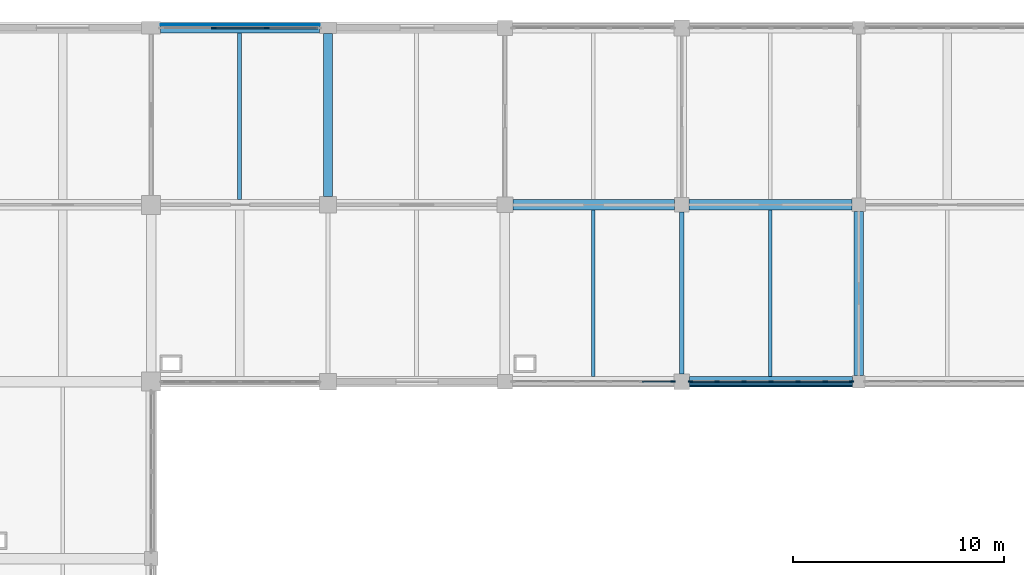
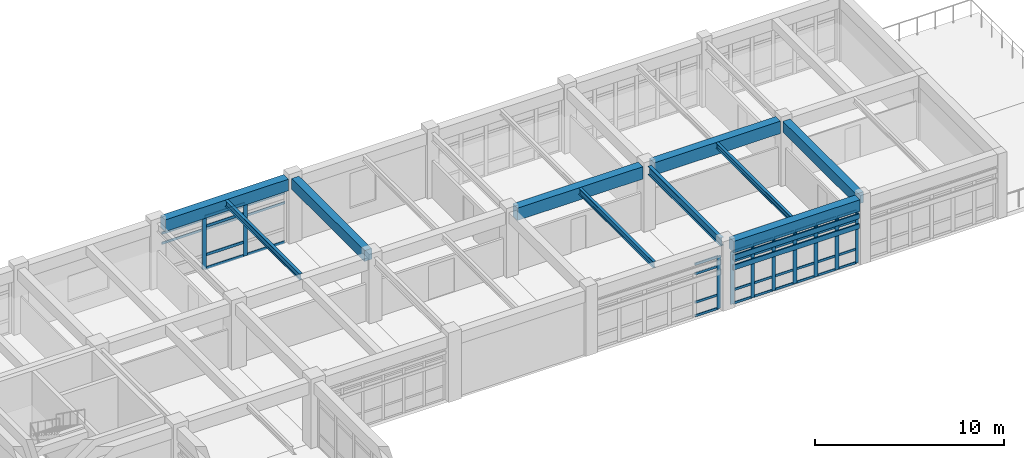
# One storey, part 54 of 99: 47 members, 10 beams, 3 elements without a shape of their own.
"""IFC4 building model written with IfcOpenShell, lengths in metres."""

from ifc_helpers import new_model, si_unit, direction, frame, origin, origin_2d, place, context, subcontext, project, spatial, rectangle, i_section, extrude, material, layer, layer_set, material_profile, profile_set, type_object, element, aggregate, save


model = new_model("IFC4")

# Units and contexts
model_context = context("Model", 3, precision=1e-05, world=origin(), true_north=direction((0.0, 1.0)))
body_context = subcontext(model_context, "Body", "Model", "MODEL_VIEW")
ifc_project = project(units=[si_unit("LENGTHUNIT", "METRE"), si_unit("AREAUNIT", "SQUARE_METRE"), si_unit("VOLUMEUNIT", "CUBIC_METRE"), si_unit("PLANEANGLEUNIT", "RADIAN"), si_unit("MASSUNIT", "GRAM", prefix="KILO")], contexts=[model_context])

# Site, building, storey
site_placement = place(None, origin())
site = spatial("IfcSite", under=ifc_project, at=site_placement, CompositionType="ELEMENT")
building_placement = place(site_placement, origin())
building = spatial("IfcBuilding", under=site, at=building_placement, Name="Porcellanite Civic Hall", CompositionType="ELEMENT")
storey_placement = place(building_placement, frame((0.0, 0.0, 5.760009765625)))
storey = spatial("IfcBuildingStorey", under=building, at=storey_placement, Name="L01", CompositionType="ELEMENT", Elevation=5.760009765625)

# Beams
ifc_material_1 = material(Name="Concrete N50 (50 MPa)", Category="concrete")
ifc_material_profile_1 = material_profile(ifc_material_1, rectangle(XDim=0.449951171875, YDim=0.699951171875, at=origin_2d()), Name="RC-450x700")
ifc_profile_set_1 = profile_set([ifc_material_profile_1], Name="Concrete N50 (50 MPa)")
beam_type_1 = type_object("IfcBeamType", Name="BM-RC700", PredefinedType="BEAM", material=ifc_profile_set_1)
beam_1_placement = place(storey_placement, frame((134.39990234375, 109.599609375, 3.85009765625), z_axis=(0.0, 1.0, 0.0), x_axis=(-1.0, 0.0, 0.0)))
element("IfcBeam", 1, at=beam_1_placement, inside=storey, type_object=beam_type_1, Name="Beam Y L01 17-14", PredefinedType="BEAM", context=body_context, shape_type="SweptSolid", body=[
    extrude(rectangle(XDim=0.449951171875, YDim=0.699951171875, at=origin_2d()), origin(), (0.0, 0.0, 1.0), 7.725830078125),
])
beam_2_placement = place(storey_placement, frame((159.60009765625, 101.099609375, 3.85009765625), z_axis=(0.0, 1.0, 0.0), x_axis=(-1.0, 0.0, 0.0)))
element("IfcBeam", 2, at=beam_2_placement, inside=storey, type_object=beam_type_1, Name="Beam Y L01 20-13", PredefinedType="BEAM", context=body_context, shape_type="SweptSolid", body=[
    extrude(rectangle(XDim=0.449951171875, YDim=0.699951171875, at=origin_2d()), origin(), (0.0, 0.0, 1.0), 7.77587890625),
])
ifc_material_2 = material(Name="Concrete N50 (50 MPa)", Category="concrete")
ifc_material_profile_2 = material_profile(ifc_material_2, rectangle(XDim=0.5, YDim=0.75, at=origin_2d()), Name="RC-500x750")
ifc_profile_set_2 = profile_set([ifc_material_profile_2], Name="Concrete N50 (50 MPa)")
beam_type_2 = type_object("IfcBeamType", Name="BM-RC750", PredefinedType="SPANDREL", material=ifc_profile_set_2)
beam_3_placement = place(storey_placement, frame((126.449462890625, 117.60009765625, 3.824951171875), z_axis=(1.0, 0.0, 0.0), x_axis=(0.0, 1.0, 0.0)))
element("IfcBeam", 3, at=beam_3_placement, inside=storey, type_object=beam_type_2, Name="Beam X L01 16-15", PredefinedType="SPANDREL", context=body_context, shape_type="SweptSolid", body=[
    extrude(rectangle(XDim=0.5, YDim=0.75, at=origin_2d()), origin(), (0.0, 0.0, 1.0), 7.551025390625),
])
beam_4_placement = place(storey_placement, frame((151.574462890625, 100.800048828125, 3.824951171875), z_axis=(1.0, 0.0, 0.0), x_axis=(0.0, 1.0, 0.0)))
element("IfcBeam", 4, at=beam_4_placement, inside=storey, type_object=beam_type_2, Name="Beam X L01 19-13", PredefinedType="SPANDREL", context=body_context, shape_type="SweptSolid", body=[
    extrude(rectangle(XDim=0.5, YDim=0.75, at=origin_2d()), origin(), (0.0, 0.0, 1.0), 7.72607421875),
])
ifc_material_3 = material(Name="Concrete N50 (50 MPa)", Category="concrete")
ifc_material_profile_3 = material_profile(ifc_material_3, rectangle(XDim=0.5, YDim=0.800048828125, at=origin_2d()), Name="RC-500x800")
ifc_profile_set_3 = profile_set([ifc_material_profile_3], Name="Concrete N50 (50 MPa)")
beam_type_3 = type_object("IfcBeamType", Name="BM-RC800", PredefinedType="BEAM", material=ifc_profile_set_3)
beam_5_placement = place(storey_placement, frame((143.174560546875, 109.199951171875, 3.800048828125), z_axis=(1.0, 0.0, 0.0), x_axis=(0.0, 1.0, 0.0)))
element("IfcBeam", 5, at=beam_5_placement, inside=storey, type_object=beam_type_3, Name="Beam X L01 18-14", PredefinedType="BEAM", context=body_context, shape_type="SweptSolid", body=[
    extrude(rectangle(XDim=0.5, YDim=0.800048828125, at=origin_2d()), origin(), (0.0, 0.0, 1.0), 7.676025390625),
])
beam_6_placement = place(storey_placement, frame((151.549560546875, 109.199951171875, 3.800048828125), z_axis=(1.0, 0.0, 0.0), x_axis=(0.0, 1.0, 0.0)))
element("IfcBeam", 6, at=beam_6_placement, inside=storey, type_object=beam_type_3, Name="Beam X L01 19-14", PredefinedType="BEAM", context=body_context, shape_type="SweptSolid", body=[
    extrude(rectangle(XDim=0.5, YDim=0.800048828125, at=origin_2d()), origin(), (0.0, 0.0, 1.0), 7.725830078125),
])

# Curtain wall, members
ifc_material_4 = material(Name="Anodised aluminium and solar laminated glass", Category="aluminium")
ifc_layer_1 = layer(ifc_material_4, 0.179931640625)
ifc_layer_set_1 = layer_set([ifc_layer_1], Name="Anodised aluminium and solar laminated glass")
curtain_wall_type_1 = type_object("IfcCurtainWallType", Name="CW-SYS08", PredefinedType="NOTDEFINED", material=ifc_layer_set_1)
curtain_wall_1_placement = place(storey_placement, origin())
curtain_wall_1 = element("IfcCurtainWall", 7, at=curtain_wall_1_placement, inside=storey, type_object=curtain_wall_type_1, Name="Curtain wall CW-118", PredefinedType="NOTDEFINED")
ifc_material_5 = material(Name="Anodised aluminium 6063-T6", Category="aluminium")
ifc_material_profile_4 = material_profile(ifc_material_5, rectangle(XDim=0.080078125, YDim=0.239990234375, at=origin_2d()), Name="AL-80x240")
ifc_profile_set_4 = profile_set([ifc_material_profile_4], Name="Anodised aluminium 6063-T6")
member_type_1 = type_object("IfcMemberType", Name="CWM-01", PredefinedType="MULLION", material=ifc_profile_set_4)
member_1_placement = place(storey_placement, frame((128.967041015625, 117.60009765625, 0.0), z_axis=(0.0, 0.0, 1.0), x_axis=(0.0, 1.0, 0.0)))
member_1 = element("IfcMember", 8, at=member_1_placement, type_object=member_type_1, Name="CW-118 mullion 2", PredefinedType="MULLION", context=body_context, shape_type="SweptSolid", body=[
    extrude(rectangle(XDim=0.080078125, YDim=0.239990234375, at=origin_2d()), origin(), (0.0, 0.0, 1.0), 3.39990234375),
])
member_2_placement = place(storey_placement, frame((131.48291015625, 117.60009765625, 0.0), z_axis=(0.0, 0.0, 1.0), x_axis=(0.0, 1.0, 0.0)))
member_2 = element("IfcMember", 9, at=member_2_placement, type_object=member_type_1, Name="CW-118 mullion 3", PredefinedType="MULLION", context=body_context, shape_type="SweptSolid", body=[
    extrude(rectangle(XDim=0.080078125, YDim=0.239990234375, at=origin_2d()), origin(), (0.0, 0.0, 1.0), 3.39990234375),
])

# Curtain wall, member
ifc_material_6 = material(Name="Anodised aluminium and solar laminated glass", Category="aluminium")
ifc_layer_2 = layer(ifc_material_6, 0.179931640625)
ifc_layer_set_2 = layer_set([ifc_layer_2], Name="Anodised aluminium and solar laminated glass")
curtain_wall_type_2 = type_object("IfcCurtainWallType", Name="CW-SYS02", PredefinedType="NOTDEFINED", material=ifc_layer_set_2)
curtain_wall_2_placement = place(storey_placement, origin())
curtain_wall_2 = element("IfcCurtainWall", 10, at=curtain_wall_2_placement, inside=storey, type_object=curtain_wall_type_2, Name="Curtain wall CW-121", PredefinedType="NOTDEFINED")
ifc_material_7 = material(Name="Anodised aluminium 6063-T6", Category="aluminium")
ifc_material_profile_5 = material_profile(ifc_material_7, rectangle(XDim=0.074951171875, YDim=0.219970703125, at=origin_2d()), Name="AL-75x220")
ifc_profile_set_5 = profile_set([ifc_material_profile_5], Name="Anodised aluminium 6063-T6")
member_type_2 = type_object("IfcMemberType", Name="CWM-03", PredefinedType="MULLION", material=ifc_profile_set_5)
member_3_placement = place(storey_placement, frame((150.78662109375, 100.800048828125, 0.0), z_axis=(0.0, 0.0, 1.0), x_axis=(0.0, -1.0, 0.0)))
member_3 = element("IfcMember", 11, at=member_3_placement, type_object=member_type_2, Name="CW-121 mullion 1", PredefinedType="MULLION", context=body_context, shape_type="SweptSolid", body=[
    extrude(rectangle(XDim=0.074951171875, YDim=0.219970703125, at=origin_2d()), origin(), (0.0, 0.0, 1.0), 3.39990234375),
])

# Curtain wall, members
curtain_wall_3_placement = place(storey_placement, origin())
curtain_wall_3 = element("IfcCurtainWall", 12, at=curtain_wall_3_placement, inside=storey, type_object=curtain_wall_type_2, Name="Curtain wall CW-124", PredefinedType="NOTDEFINED")
member_4_placement = place(storey_placement, frame((159.261474609375, 100.800048828125, 0.0), z_axis=(0.0, 0.0, 1.0), x_axis=(0.0, -1.0, 0.0)))
member_4 = element("IfcMember", 13, at=member_4_placement, type_object=member_type_2, Name="CW-124 mullion 1", PredefinedType="MULLION", context=body_context, shape_type="SweptSolid", body=[
    extrude(rectangle(XDim=0.074951171875, YDim=0.219970703125, at=origin_2d()), origin(), (0.0, 0.0, 1.0), 3.39990234375),
])
member_5_placement = place(storey_placement, frame((158.01171875, 100.800048828125, 0.0), z_axis=(0.0, 0.0, 1.0), x_axis=(0.0, -1.0, 0.0)))
member_5 = element("IfcMember", 14, at=member_5_placement, type_object=member_type_2, Name="CW-124 mullion 2", PredefinedType="MULLION", context=body_context, shape_type="SweptSolid", body=[
    extrude(rectangle(XDim=0.074951171875, YDim=0.219970703125, at=origin_2d()), origin(), (0.0, 0.0, 1.0), 3.39990234375),
])
member_6_placement = place(storey_placement, frame((156.724609375, 100.800048828125, 0.0), z_axis=(0.0, 0.0, 1.0), x_axis=(0.0, -1.0, 0.0)))
member_6 = element("IfcMember", 15, at=member_6_placement, type_object=member_type_2, Name="CW-124 mullion 3", PredefinedType="MULLION", context=body_context, shape_type="SweptSolid", body=[
    extrude(rectangle(XDim=0.074951171875, YDim=0.219970703125, at=origin_2d()), origin(), (0.0, 0.0, 1.0), 3.39990234375),
])
member_7_placement = place(storey_placement, frame((155.4375, 100.800048828125, 0.0), z_axis=(0.0, 0.0, 1.0), x_axis=(0.0, -1.0, 0.0)))
member_7 = element("IfcMember", 16, at=member_7_placement, type_object=member_type_2, Name="CW-124 mullion 4", PredefinedType="MULLION", context=body_context, shape_type="SweptSolid", body=[
    extrude(rectangle(XDim=0.074951171875, YDim=0.219970703125, at=origin_2d()), origin(), (0.0, 0.0, 1.0), 3.39990234375),
])
member_8_placement = place(storey_placement, frame((154.150390625, 100.800048828125, 0.0), z_axis=(0.0, 0.0, 1.0), x_axis=(0.0, -1.0, 0.0)))
member_8 = element("IfcMember", 17, at=member_8_placement, type_object=member_type_2, Name="CW-124 mullion 5", PredefinedType="MULLION", context=body_context, shape_type="SweptSolid", body=[
    extrude(rectangle(XDim=0.074951171875, YDim=0.219970703125, at=origin_2d()), origin(), (0.0, 0.0, 1.0), 3.39990234375),
])
member_9_placement = place(storey_placement, frame((152.86328125, 100.800048828125, 0.0), z_axis=(0.0, 0.0, 1.0), x_axis=(0.0, -1.0, 0.0)))
member_9 = element("IfcMember", 18, at=member_9_placement, type_object=member_type_2, Name="CW-124 mullion 6", PredefinedType="MULLION", context=body_context, shape_type="SweptSolid", body=[
    extrude(rectangle(XDim=0.074951171875, YDim=0.219970703125, at=origin_2d()), origin(), (0.0, 0.0, 1.0), 3.39990234375),
])
member_10_placement = place(storey_placement, frame((151.613525390625, 100.800048828125, 0.0), z_axis=(0.0, 0.0, 1.0), x_axis=(0.0, -1.0, 0.0)))
member_10 = element("IfcMember", 19, at=member_10_placement, type_object=member_type_2, Name="CW-124 mullion 7", PredefinedType="MULLION", context=body_context, shape_type="SweptSolid", body=[
    extrude(rectangle(XDim=0.074951171875, YDim=0.219970703125, at=origin_2d()), origin(), (0.0, 0.0, 1.0), 3.39990234375),
])

# Member
ifc_material_8 = material(Name="Anodised aluminium 6063-T6", Category="aluminium")
ifc_material_profile_6 = material_profile(ifc_material_8, rectangle(XDim=0.070068359375, YDim=0.175048828125, at=origin_2d()), Name="AL-70x175")
ifc_profile_set_6 = profile_set([ifc_material_profile_6], Name="Anodised aluminium 6063-T6")
member_type_3 = type_object("IfcMemberType", Name="CWT-01", PredefinedType="USERDEFINED", material=ifc_profile_set_6)
member_11_placement = place(storey_placement, frame((129.007080078125, 117.60009765625, 0.034912109375), z_axis=(1.0, 0.0, 0.0), x_axis=(0.0, 1.0, 0.0)))
member_11 = element("IfcMember", 20, at=member_11_placement, type_object=member_type_3, Name="CW-118 transom 2.1", ObjectType="TRANSOM", PredefinedType="USERDEFINED", context=body_context, shape_type="SweptSolid", body=[
    extrude(rectangle(XDim=0.070068359375, YDim=0.175048828125, at=origin_2d()), origin(), (0.0, 0.0, 1.0), 2.43603515625),
])

member_12_placement = place(storey_placement, frame((129.007080078125, 117.60009765625, 0.89990234375), z_axis=(1.0, 0.0, 0.0), x_axis=(0.0, 1.0, 0.0)))
member_12 = element("IfcMember", 21, at=member_12_placement, type_object=member_type_3, Name="CW-118 transom 2.2", ObjectType="TRANSOM", PredefinedType="USERDEFINED", context=body_context, shape_type="SweptSolid", body=[
    extrude(rectangle(XDim=0.070068359375, YDim=0.175048828125, at=origin_2d()), origin(), (0.0, 0.0, 1.0), 2.43603515625),
])

member_13_placement = place(storey_placement, frame((129.007080078125, 117.60009765625, 2.75), z_axis=(1.0, 0.0, 0.0), x_axis=(0.0, 1.0, 0.0)))
member_13 = element("IfcMember", 22, at=member_13_placement, type_object=member_type_3, Name="CW-118 transom 2.3", ObjectType="TRANSOM", PredefinedType="USERDEFINED", context=body_context, shape_type="SweptSolid", body=[
    extrude(rectangle(XDim=0.070068359375, YDim=0.175048828125, at=origin_2d()), origin(), (0.0, 0.0, 1.0), 2.43603515625),
])

member_14_placement = place(storey_placement, frame((129.007080078125, 117.60009765625, 3.364990234375), z_axis=(1.0, 0.0, 0.0), x_axis=(0.0, 1.0, 0.0)))
member_14 = element("IfcMember", 23, at=member_14_placement, type_object=member_type_3, Name="CW-118 transom 2.4", ObjectType="TRANSOM", PredefinedType="USERDEFINED", context=body_context, shape_type="SweptSolid", body=[
    extrude(rectangle(XDim=0.070068359375, YDim=0.175048828125, at=origin_2d()), origin(), (0.0, 0.0, 1.0), 2.43603515625),
])

member_15_placement = place(storey_placement, frame((131.52294921875, 117.60009765625, 0.034912109375), z_axis=(1.0, 0.0, 0.0), x_axis=(0.0, 1.0, 0.0)))
member_15 = element("IfcMember", 24, at=member_15_placement, type_object=member_type_3, Name="CW-118 transom 3.1", ObjectType="TRANSOM", PredefinedType="USERDEFINED", context=body_context, shape_type="SweptSolid", body=[
    extrude(rectangle(XDim=0.070068359375, YDim=0.175048828125, at=origin_2d()), origin(), (0.0, 0.0, 1.0), 2.39599609375),
])

aggregate(curtain_wall_1, [member_1, member_2, member_11, member_12, member_13, member_14, member_15])

ifc_material_9 = material(Name="Anodised aluminium 6063-T6", Category="aluminium")
ifc_material_profile_7 = material_profile(ifc_material_9, rectangle(XDim=0.06494140625, YDim=0.14990234375, at=origin_2d()), Name="AL-65x150")
ifc_profile_set_7 = profile_set([ifc_material_profile_7], Name="Anodised aluminium 6063-T6")
member_type_4 = type_object("IfcMemberType", Name="CWT-02", PredefinedType="USERDEFINED", material=ifc_profile_set_7)
member_16_placement = place(storey_placement, frame((150.7490234375, 100.800048828125, 0.032470703125), z_axis=(-1.0, 0.0, 0.0), x_axis=(0.0, -1.0, 0.0)))
member_16 = element("IfcMember", 25, at=member_16_placement, type_object=member_type_4, Name="CW-121 transom 1.1", ObjectType="TRANSOM", PredefinedType="USERDEFINED", context=body_context, shape_type="SweptSolid", body=[
    extrude(rectangle(XDim=0.06494140625, YDim=0.14990234375, at=origin_2d()), origin(), (0.0, 0.0, 1.0), 1.422119140625),
])

member_17_placement = place(storey_placement, frame((150.7490234375, 100.800048828125, 0.89990234375), z_axis=(-1.0, 0.0, 0.0), x_axis=(0.0, -1.0, 0.0)))
member_17 = element("IfcMember", 26, at=member_17_placement, type_object=member_type_4, Name="CW-121 transom 1.2", ObjectType="TRANSOM", PredefinedType="USERDEFINED", context=body_context, shape_type="SweptSolid", body=[
    extrude(rectangle(XDim=0.06494140625, YDim=0.14990234375, at=origin_2d()), origin(), (0.0, 0.0, 1.0), 1.422119140625),
])

member_18_placement = place(storey_placement, frame((150.7490234375, 100.800048828125, 2.75), z_axis=(-1.0, 0.0, 0.0), x_axis=(0.0, -1.0, 0.0)))
member_18 = element("IfcMember", 27, at=member_18_placement, type_object=member_type_4, Name="CW-121 transom 1.3", ObjectType="TRANSOM", PredefinedType="USERDEFINED", context=body_context, shape_type="SweptSolid", body=[
    extrude(rectangle(XDim=0.06494140625, YDim=0.14990234375, at=origin_2d()), origin(), (0.0, 0.0, 1.0), 1.422119140625),
])

member_19_placement = place(storey_placement, frame((150.7490234375, 100.800048828125, 3.367431640625), z_axis=(-1.0, 0.0, 0.0), x_axis=(0.0, -1.0, 0.0)))
member_19 = element("IfcMember", 28, at=member_19_placement, type_object=member_type_4, Name="CW-121 transom 1.4", ObjectType="TRANSOM", PredefinedType="USERDEFINED", context=body_context, shape_type="SweptSolid", body=[
    extrude(rectangle(XDim=0.06494140625, YDim=0.14990234375, at=origin_2d()), origin(), (0.0, 0.0, 1.0), 1.422119140625),
])

aggregate(curtain_wall_2, [member_3, member_16, member_17, member_18, member_19])

member_20_placement = place(storey_placement, frame((159.22412109375, 100.800048828125, 0.032470703125), z_axis=(-1.0, 0.0, 0.0), x_axis=(0.0, -1.0, 0.0)))
member_20 = element("IfcMember", 29, at=member_20_placement, type_object=member_type_4, Name="CW-124 transom 1.1", ObjectType="TRANSOM", PredefinedType="USERDEFINED", context=body_context, shape_type="SweptSolid", body=[
    extrude(rectangle(XDim=0.06494140625, YDim=0.14990234375, at=origin_2d()), origin(), (0.0, 0.0, 1.0), 1.1748046875),
])

member_21_placement = place(storey_placement, frame((159.22412109375, 100.800048828125, 0.89990234375), z_axis=(-1.0, 0.0, 0.0), x_axis=(0.0, -1.0, 0.0)))
member_21 = element("IfcMember", 30, at=member_21_placement, type_object=member_type_4, Name="CW-124 transom 1.2", ObjectType="TRANSOM", PredefinedType="USERDEFINED", context=body_context, shape_type="SweptSolid", body=[
    extrude(rectangle(XDim=0.06494140625, YDim=0.14990234375, at=origin_2d()), origin(), (0.0, 0.0, 1.0), 1.1748046875),
])

member_22_placement = place(storey_placement, frame((159.22412109375, 100.800048828125, 2.75), z_axis=(-1.0, 0.0, 0.0), x_axis=(0.0, -1.0, 0.0)))
member_22 = element("IfcMember", 31, at=member_22_placement, type_object=member_type_4, Name="CW-124 transom 1.3", ObjectType="TRANSOM", PredefinedType="USERDEFINED", context=body_context, shape_type="SweptSolid", body=[
    extrude(rectangle(XDim=0.06494140625, YDim=0.14990234375, at=origin_2d()), origin(), (0.0, 0.0, 1.0), 1.1748046875),
])

member_23_placement = place(storey_placement, frame((159.22412109375, 100.800048828125, 3.367431640625), z_axis=(-1.0, 0.0, 0.0), x_axis=(0.0, -1.0, 0.0)))
member_23 = element("IfcMember", 32, at=member_23_placement, type_object=member_type_4, Name="CW-124 transom 1.4", ObjectType="TRANSOM", PredefinedType="USERDEFINED", context=body_context, shape_type="SweptSolid", body=[
    extrude(rectangle(XDim=0.06494140625, YDim=0.14990234375, at=origin_2d()), origin(), (0.0, 0.0, 1.0), 1.1748046875),
])

member_24_placement = place(storey_placement, frame((157.974365234375, 100.800048828125, 0.032470703125), z_axis=(-1.0, 0.0, 0.0), x_axis=(0.0, -1.0, 0.0)))
member_24 = element("IfcMember", 33, at=member_24_placement, type_object=member_type_4, Name="CW-124 transom 2.1", ObjectType="TRANSOM", PredefinedType="USERDEFINED", context=body_context, shape_type="SweptSolid", body=[
    extrude(rectangle(XDim=0.06494140625, YDim=0.14990234375, at=origin_2d()), origin(), (0.0, 0.0, 1.0), 1.212158203125),
])

member_25_placement = place(storey_placement, frame((157.974365234375, 100.800048828125, 0.89990234375), z_axis=(-1.0, 0.0, 0.0), x_axis=(0.0, -1.0, 0.0)))
member_25 = element("IfcMember", 34, at=member_25_placement, type_object=member_type_4, Name="CW-124 transom 2.2", ObjectType="TRANSOM", PredefinedType="USERDEFINED", context=body_context, shape_type="SweptSolid", body=[
    extrude(rectangle(XDim=0.06494140625, YDim=0.14990234375, at=origin_2d()), origin(), (0.0, 0.0, 1.0), 1.212158203125),
])

member_26_placement = place(storey_placement, frame((157.974365234375, 100.800048828125, 2.75), z_axis=(-1.0, 0.0, 0.0), x_axis=(0.0, -1.0, 0.0)))
member_26 = element("IfcMember", 35, at=member_26_placement, type_object=member_type_4, Name="CW-124 transom 2.3", ObjectType="TRANSOM", PredefinedType="USERDEFINED", context=body_context, shape_type="SweptSolid", body=[
    extrude(rectangle(XDim=0.06494140625, YDim=0.14990234375, at=origin_2d()), origin(), (0.0, 0.0, 1.0), 1.212158203125),
])

member_27_placement = place(storey_placement, frame((157.974365234375, 100.800048828125, 3.367431640625), z_axis=(-1.0, 0.0, 0.0), x_axis=(0.0, -1.0, 0.0)))
member_27 = element("IfcMember", 36, at=member_27_placement, type_object=member_type_4, Name="CW-124 transom 2.4", ObjectType="TRANSOM", PredefinedType="USERDEFINED", context=body_context, shape_type="SweptSolid", body=[
    extrude(rectangle(XDim=0.06494140625, YDim=0.14990234375, at=origin_2d()), origin(), (0.0, 0.0, 1.0), 1.212158203125),
])

member_28_placement = place(storey_placement, frame((156.687255859375, 100.800048828125, 0.032470703125), z_axis=(-1.0, 0.0, 0.0), x_axis=(0.0, -1.0, 0.0)))
member_28 = element("IfcMember", 37, at=member_28_placement, type_object=member_type_4, Name="CW-124 transom 3.1", ObjectType="TRANSOM", PredefinedType="USERDEFINED", context=body_context, shape_type="SweptSolid", body=[
    extrude(rectangle(XDim=0.06494140625, YDim=0.14990234375, at=origin_2d()), origin(), (0.0, 0.0, 1.0), 1.212158203125),
])

member_29_placement = place(storey_placement, frame((156.687255859375, 100.800048828125, 0.89990234375), z_axis=(-1.0, 0.0, 0.0), x_axis=(0.0, -1.0, 0.0)))
member_29 = element("IfcMember", 38, at=member_29_placement, type_object=member_type_4, Name="CW-124 transom 3.2", ObjectType="TRANSOM", PredefinedType="USERDEFINED", context=body_context, shape_type="SweptSolid", body=[
    extrude(rectangle(XDim=0.06494140625, YDim=0.14990234375, at=origin_2d()), origin(), (0.0, 0.0, 1.0), 1.212158203125),
])

member_30_placement = place(storey_placement, frame((156.687255859375, 100.800048828125, 2.75), z_axis=(-1.0, 0.0, 0.0), x_axis=(0.0, -1.0, 0.0)))
member_30 = element("IfcMember", 39, at=member_30_placement, type_object=member_type_4, Name="CW-124 transom 3.3", ObjectType="TRANSOM", PredefinedType="USERDEFINED", context=body_context, shape_type="SweptSolid", body=[
    extrude(rectangle(XDim=0.06494140625, YDim=0.14990234375, at=origin_2d()), origin(), (0.0, 0.0, 1.0), 1.212158203125),
])

member_31_placement = place(storey_placement, frame((156.687255859375, 100.800048828125, 3.367431640625), z_axis=(-1.0, 0.0, 0.0), x_axis=(0.0, -1.0, 0.0)))
member_31 = element("IfcMember", 40, at=member_31_placement, type_object=member_type_4, Name="CW-124 transom 3.4", ObjectType="TRANSOM", PredefinedType="USERDEFINED", context=body_context, shape_type="SweptSolid", body=[
    extrude(rectangle(XDim=0.06494140625, YDim=0.14990234375, at=origin_2d()), origin(), (0.0, 0.0, 1.0), 1.212158203125),
])

member_32_placement = place(storey_placement, frame((155.39990234375, 100.800048828125, 0.032470703125), z_axis=(-1.0, 0.0, 0.0), x_axis=(0.0, -1.0, 0.0)))
member_32 = element("IfcMember", 41, at=member_32_placement, type_object=member_type_4, Name="CW-124 transom 4.1", ObjectType="TRANSOM", PredefinedType="USERDEFINED", context=body_context, shape_type="SweptSolid", body=[
    extrude(rectangle(XDim=0.06494140625, YDim=0.14990234375, at=origin_2d()), origin(), (0.0, 0.0, 1.0), 1.212158203125),
])

member_33_placement = place(storey_placement, frame((155.39990234375, 100.800048828125, 0.89990234375), z_axis=(-1.0, 0.0, 0.0), x_axis=(0.0, -1.0, 0.0)))
member_33 = element("IfcMember", 42, at=member_33_placement, type_object=member_type_4, Name="CW-124 transom 4.2", ObjectType="TRANSOM", PredefinedType="USERDEFINED", context=body_context, shape_type="SweptSolid", body=[
    extrude(rectangle(XDim=0.06494140625, YDim=0.14990234375, at=origin_2d()), origin(), (0.0, 0.0, 1.0), 1.212158203125),
])

member_34_placement = place(storey_placement, frame((155.39990234375, 100.800048828125, 2.75), z_axis=(-1.0, 0.0, 0.0), x_axis=(0.0, -1.0, 0.0)))
member_34 = element("IfcMember", 43, at=member_34_placement, type_object=member_type_4, Name="CW-124 transom 4.3", ObjectType="TRANSOM", PredefinedType="USERDEFINED", context=body_context, shape_type="SweptSolid", body=[
    extrude(rectangle(XDim=0.06494140625, YDim=0.14990234375, at=origin_2d()), origin(), (0.0, 0.0, 1.0), 1.212158203125),
])

member_35_placement = place(storey_placement, frame((155.39990234375, 100.800048828125, 3.367431640625), z_axis=(-1.0, 0.0, 0.0), x_axis=(0.0, -1.0, 0.0)))
member_35 = element("IfcMember", 44, at=member_35_placement, type_object=member_type_4, Name="CW-124 transom 4.4", ObjectType="TRANSOM", PredefinedType="USERDEFINED", context=body_context, shape_type="SweptSolid", body=[
    extrude(rectangle(XDim=0.06494140625, YDim=0.14990234375, at=origin_2d()), origin(), (0.0, 0.0, 1.0), 1.212158203125),
])

member_36_placement = place(storey_placement, frame((154.11279296875, 100.800048828125, 0.032470703125), z_axis=(-1.0, 0.0, 0.0), x_axis=(0.0, -1.0, 0.0)))
member_36 = element("IfcMember", 45, at=member_36_placement, type_object=member_type_4, Name="CW-124 transom 5.1", ObjectType="TRANSOM", PredefinedType="USERDEFINED", context=body_context, shape_type="SweptSolid", body=[
    extrude(rectangle(XDim=0.06494140625, YDim=0.14990234375, at=origin_2d()), origin(), (0.0, 0.0, 1.0), 1.212158203125),
])

member_37_placement = place(storey_placement, frame((154.11279296875, 100.800048828125, 0.89990234375), z_axis=(-1.0, 0.0, 0.0), x_axis=(0.0, -1.0, 0.0)))
member_37 = element("IfcMember", 46, at=member_37_placement, type_object=member_type_4, Name="CW-124 transom 5.2", ObjectType="TRANSOM", PredefinedType="USERDEFINED", context=body_context, shape_type="SweptSolid", body=[
    extrude(rectangle(XDim=0.06494140625, YDim=0.14990234375, at=origin_2d()), origin(), (0.0, 0.0, 1.0), 1.212158203125),
])

member_38_placement = place(storey_placement, frame((154.11279296875, 100.800048828125, 2.75), z_axis=(-1.0, 0.0, 0.0), x_axis=(0.0, -1.0, 0.0)))
member_38 = element("IfcMember", 47, at=member_38_placement, type_object=member_type_4, Name="CW-124 transom 5.3", ObjectType="TRANSOM", PredefinedType="USERDEFINED", context=body_context, shape_type="SweptSolid", body=[
    extrude(rectangle(XDim=0.06494140625, YDim=0.14990234375, at=origin_2d()), origin(), (0.0, 0.0, 1.0), 1.212158203125),
])

member_39_placement = place(storey_placement, frame((154.11279296875, 100.800048828125, 3.367431640625), z_axis=(-1.0, 0.0, 0.0), x_axis=(0.0, -1.0, 0.0)))
member_39 = element("IfcMember", 48, at=member_39_placement, type_object=member_type_4, Name="CW-124 transom 5.4", ObjectType="TRANSOM", PredefinedType="USERDEFINED", context=body_context, shape_type="SweptSolid", body=[
    extrude(rectangle(XDim=0.06494140625, YDim=0.14990234375, at=origin_2d()), origin(), (0.0, 0.0, 1.0), 1.212158203125),
])

member_40_placement = place(storey_placement, frame((152.82568359375, 100.800048828125, 0.032470703125), z_axis=(-1.0, 0.0, 0.0), x_axis=(0.0, -1.0, 0.0)))
member_40 = element("IfcMember", 49, at=member_40_placement, type_object=member_type_4, Name="CW-124 transom 6.1", ObjectType="TRANSOM", PredefinedType="USERDEFINED", context=body_context, shape_type="SweptSolid", body=[
    extrude(rectangle(XDim=0.06494140625, YDim=0.14990234375, at=origin_2d()), origin(), (0.0, 0.0, 1.0), 1.1748046875),
])

member_41_placement = place(storey_placement, frame((152.82568359375, 100.800048828125, 0.89990234375), z_axis=(-1.0, 0.0, 0.0), x_axis=(0.0, -1.0, 0.0)))
member_41 = element("IfcMember", 50, at=member_41_placement, type_object=member_type_4, Name="CW-124 transom 6.2", ObjectType="TRANSOM", PredefinedType="USERDEFINED", context=body_context, shape_type="SweptSolid", body=[
    extrude(rectangle(XDim=0.06494140625, YDim=0.14990234375, at=origin_2d()), origin(), (0.0, 0.0, 1.0), 1.1748046875),
])

member_42_placement = place(storey_placement, frame((152.82568359375, 100.800048828125, 2.75), z_axis=(-1.0, 0.0, 0.0), x_axis=(0.0, -1.0, 0.0)))
member_42 = element("IfcMember", 51, at=member_42_placement, type_object=member_type_4, Name="CW-124 transom 6.3", ObjectType="TRANSOM", PredefinedType="USERDEFINED", context=body_context, shape_type="SweptSolid", body=[
    extrude(rectangle(XDim=0.06494140625, YDim=0.14990234375, at=origin_2d()), origin(), (0.0, 0.0, 1.0), 1.1748046875),
])

member_43_placement = place(storey_placement, frame((152.82568359375, 100.800048828125, 3.367431640625), z_axis=(-1.0, 0.0, 0.0), x_axis=(0.0, -1.0, 0.0)))
member_43 = element("IfcMember", 52, at=member_43_placement, type_object=member_type_4, Name="CW-124 transom 6.4", ObjectType="TRANSOM", PredefinedType="USERDEFINED", context=body_context, shape_type="SweptSolid", body=[
    extrude(rectangle(XDim=0.06494140625, YDim=0.14990234375, at=origin_2d()), origin(), (0.0, 0.0, 1.0), 1.1748046875),
])

aggregate(curtain_wall_3, [member_4, member_5, member_6, member_7, member_8, member_9, member_10, member_20, member_21, member_22, member_23, member_24, member_25, member_26, member_27, member_28, member_29, member_30, member_31, member_32, member_33, member_34, member_35, member_36, member_37, member_38, member_39, member_40, member_41, member_42, member_43])

# Beams
ifc_material_10 = material(Name="Steel Grade 350", Category="steel")
ifc_material_profile_8 = material_profile(ifc_material_10, i_section(OverallWidth=0.172119140625, OverallDepth=0.35888671875, WebThickness=0.008056640625, FlangeThickness=0.012939453125, FilletRadius=0.011474609375, at=origin_2d()), Name="360UB56.7")
ifc_profile_set_8 = profile_set([ifc_material_profile_8], Name="Steel Grade 350")
beam_type_4 = type_object("IfcBeamType", Name="JST-360UB57", PredefinedType="JOIST", material=ifc_profile_set_8)
beam_7_placement = place(storey_placement, frame((155.39990234375, 101.049560546875, 4.0205078125), z_axis=(0.0, 1.0, 0.0), x_axis=(-1.0, 0.0, 0.0)))
element("IfcBeam", 53, at=beam_7_placement, inside=storey, type_object=beam_type_4, Name="Secondary joist L01 19-13", PredefinedType="JOIST", context=body_context, shape_type="SweptSolid", body=[
    extrude(i_section(OverallWidth=0.172119140625, OverallDepth=0.35888671875, WebThickness=0.008056640625, FlangeThickness=0.012939453125, FilletRadius=0.011474609375, at=origin_2d()), origin(), (0.0, 0.0, 1.0), 7.90087890625),
])
ifc_material_11 = material(Name="Steel Grade 350", Category="steel")
ifc_material_profile_9 = material_profile(ifc_material_11, i_section(OverallWidth=0.177978515625, OverallDepth=0.403076171875, WebThickness=0.007568359375, FlangeThickness=0.010986328125, FilletRadius=0.011474609375, at=origin_2d()), Name="410UB53.7")
ifc_profile_set_9 = profile_set([ifc_material_profile_9], Name="Steel Grade 350")
beam_type_5 = type_object("IfcBeamType", Name="JST-410UB54", PredefinedType="JOIST", material=ifc_profile_set_9)
beam_8_placement = place(storey_placement, frame((147.0, 101.049560546875, 3.99853515625), z_axis=(0.0, 1.0, 0.0), x_axis=(-1.0, 0.0, 0.0)))
element("IfcBeam", 54, at=beam_8_placement, inside=storey, type_object=beam_type_5, Name="Secondary joist L01 18-13", PredefinedType="JOIST", context=body_context, shape_type="SweptSolid", body=[
    extrude(i_section(OverallWidth=0.177978515625, OverallDepth=0.403076171875, WebThickness=0.007568359375, FlangeThickness=0.010986328125, FilletRadius=0.011474609375, at=origin_2d()), origin(), (0.0, 0.0, 1.0), 7.90087890625),
])
ifc_material_12 = material(Name="Steel Grade 350", Category="steel")
ifc_material_profile_10 = material_profile(ifc_material_12, i_section(OverallWidth=0.177978515625, OverallDepth=0.406005859375, WebThickness=0.0078125, FlangeThickness=0.0126953125, FilletRadius=0.011474609375, at=origin_2d()), Name="410UB59.7")
ifc_profile_set_10 = profile_set([ifc_material_profile_10], Name="Steel Grade 350")
beam_type_6 = type_object("IfcBeamType", Name="JST-410UB60", PredefinedType="JOIST", material=ifc_profile_set_10)
beam_9_placement = place(storey_placement, frame((130.199951171875, 109.449462890625, 3.9970703125), z_axis=(0.0, 1.0, 0.0), x_axis=(-1.0, 0.0, 0.0)))
element("IfcBeam", 55, at=beam_9_placement, inside=storey, type_object=beam_type_6, Name="Secondary joist L01 16-14", PredefinedType="JOIST", context=body_context, shape_type="SweptSolid", body=[
    extrude(i_section(OverallWidth=0.177978515625, OverallDepth=0.406005859375, WebThickness=0.0078125, FlangeThickness=0.0126953125, FilletRadius=0.011474609375, at=origin_2d()), origin(), (0.0, 0.0, 1.0), 7.901123046875),
])

# Members
ifc_material_13 = material(Name="Fluoropolymer bauxite-red aluminium 6063-T6", Category="aluminium")
ifc_material_profile_11 = material_profile(ifc_material_13, rectangle(XDim=0.080078125, YDim=0.320068359375, at=origin_2d()), Name="AL-80x320")
ifc_profile_set_11 = profile_set([ifc_material_profile_11], Name="Fluoropolymer bauxite-red aluminium 6063-T6")
member_type_5 = type_object("IfcMemberType", Name="LV-BLD03", PredefinedType="USERDEFINED", material=ifc_profile_set_11)
for number, where, z_axis, x_axis, name in (
    (56, (159.300537109375, 100.64794921875, 3.10009765625), (-1.0, 0.0, 0.0), (0.0, -1.0, 0.0), "Cyclone sunshade louvre L01 S 18-12 1"),
    (57, (159.300537109375, 100.64794921875, 2.449951171875), (-1.0, 0.0, 0.0), (0.0, -1.0, 0.0), "Cyclone sunshade louvre L01 S 18-12 2"),
):
    element("IfcMember", number, at=place(storey_placement, frame(where, z_axis=z_axis, x_axis=x_axis)), inside=storey, type_object=member_type_5, Name=name, ObjectType="LOUVRE BLADE", PredefinedType="USERDEFINED", context=body_context, shape_type="SweptSolid", body=[
        extrude(rectangle(XDim=0.080078125, YDim=0.320068359375, at=origin_2d()), origin(), (0.0, 0.0, 1.0), 7.72607421875),
    ])
ifc_material_14 = material(Name="Fluoropolymer bauxite-red aluminium 6063-T6", Category="aluminium")
ifc_material_profile_12 = material_profile(ifc_material_14, rectangle(XDim=0.044921875, YDim=0.159912109375, at=origin_2d()), Name="AL-45x160")
ifc_profile_set_12 = profile_set([ifc_material_profile_12], Name="Fluoropolymer bauxite-red aluminium 6063-T6")
member_type_6 = type_object("IfcMemberType", Name="LV-BLD11", PredefinedType="USERDEFINED", material=ifc_profile_set_12)
for number, where, z_axis, x_axis, name in (
    (58, (126.449462890625, 117.744384765625, 3.10009765625), (1.0, 0.0, 0.0), (0.0, 1.0, 0.0), "Cyclone sunshade louvre L01 N 15-13 1"),
    (59, (126.449462890625, 117.744384765625, 2.449951171875), (1.0, 0.0, 0.0), (0.0, 1.0, 0.0), "Cyclone sunshade louvre L01 N 15-13 2"),
):
    element("IfcMember", number, at=place(storey_placement, frame(where, z_axis=z_axis, x_axis=x_axis)), inside=storey, type_object=member_type_6, Name=name, ObjectType="LOUVRE BLADE", PredefinedType="USERDEFINED", context=body_context, shape_type="SweptSolid", body=[
        extrude(rectangle(XDim=0.044921875, YDim=0.159912109375, at=origin_2d()), origin(), (0.0, 0.0, 1.0), 7.551025390625),
    ])

# Beam
ifc_material_15 = material(Name="Steel Grade 350", Category="steel")
ifc_material_profile_13 = material_profile(ifc_material_15, i_section(OverallWidth=0.208984375, OverallDepth=0.528076171875, WebThickness=0.009521484375, FlangeThickness=0.01318359375, FilletRadius=0.013916015625, at=origin_2d()), Name="530UB82.0")
ifc_profile_set_13 = profile_set([ifc_material_profile_13], Name="Steel Grade 350")
beam_type_7 = type_object("IfcBeamType", Name="RAF-530UB82", PredefinedType="BEAM", material=ifc_profile_set_13)
beam_10_placement = place(storey_placement, frame((151.199951171875, 101.174560546875, 3.93603515625), z_axis=(0.0, 1.0, 0.0), x_axis=(-1.0, 0.0, 0.0)))
element("IfcBeam", 60, at=beam_10_placement, inside=storey, type_object=beam_type_7, Name="Beam Y L01 19-13", PredefinedType="BEAM", context=body_context, shape_type="SweptSolid", body=[
    extrude(i_section(OverallWidth=0.208984375, OverallDepth=0.528076171875, WebThickness=0.009521484375, FlangeThickness=0.01318359375, FilletRadius=0.013916015625, at=origin_2d()), origin(), (0.0, 0.0, 1.0), 7.676025390625),
])

save(model, "model.ifc")
